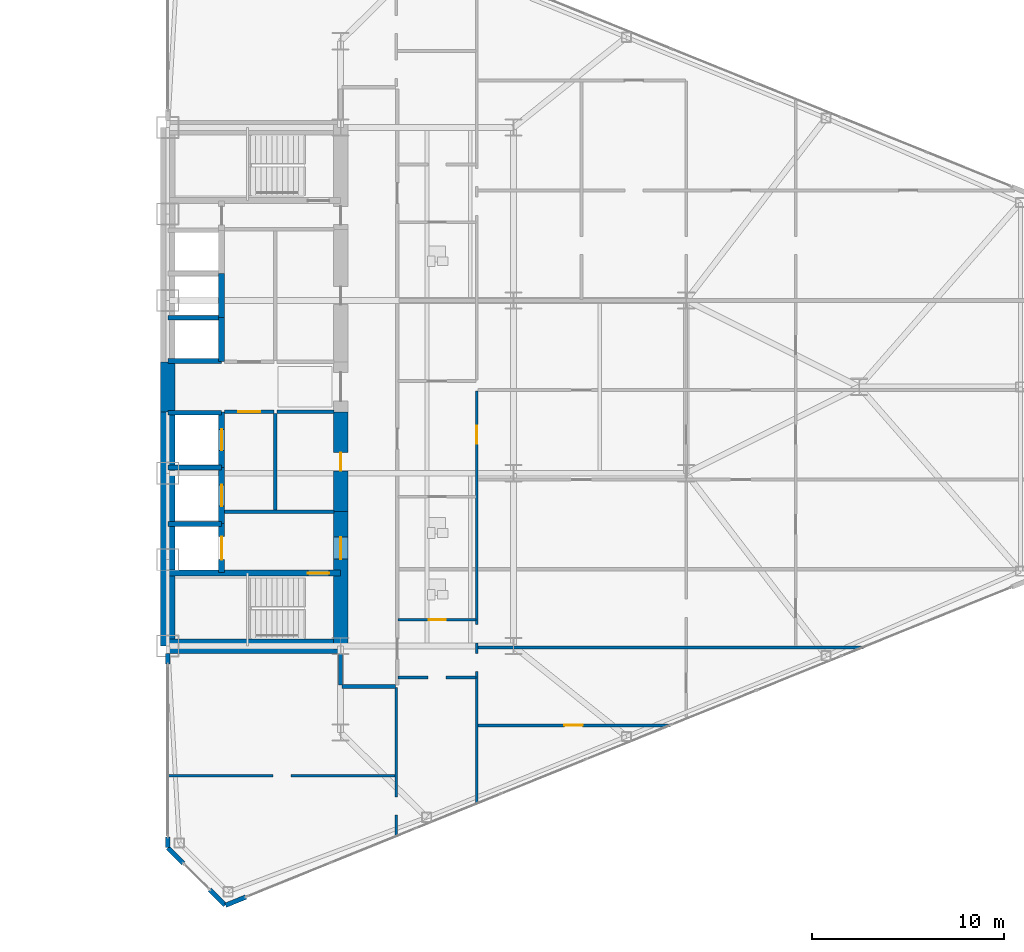
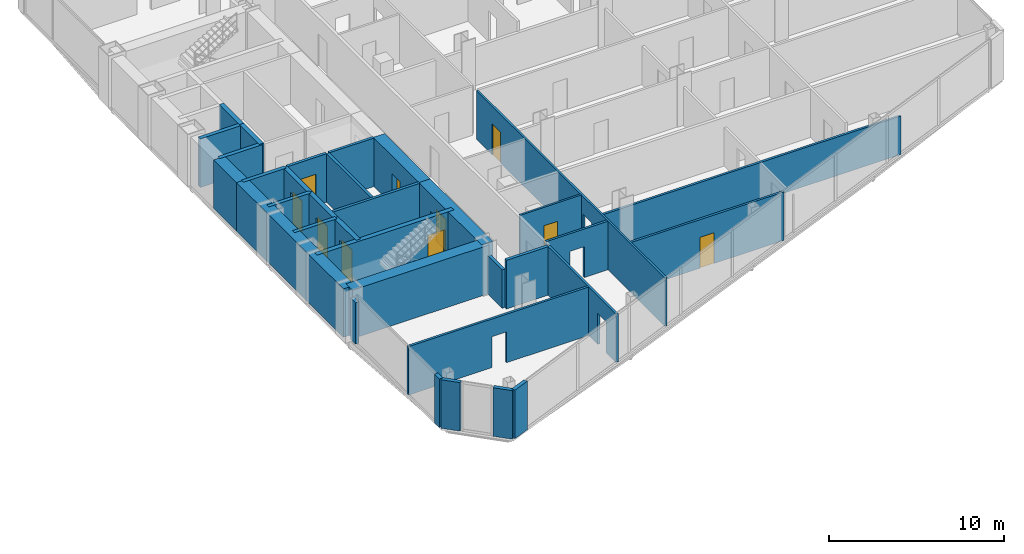
# One storey, part 20 of 25: 34 walls, 10 doors, 15 openings.
"""IFC4 building model written with IfcOpenShell, lengths in metres."""

from ifc_helpers import new_model, si_unit, direction, frame, frame_2d, origin, place, context, subcontext, project, spatial, rectangle, extrude, source, transform, mapped, material, layer, layer_set, type_object, type_shapes, element, fill, save


model = new_model("IFC4")

# Units and contexts
model_context = context("Model", 3, precision=1e-05, world=origin(), true_north=direction((0.0, 1.0)))
body_context = subcontext(model_context, "Body", "Model", "MODEL_VIEW")
ifc_project = project(units=[si_unit("LENGTHUNIT", "METRE"), si_unit("AREAUNIT", "SQUARE_METRE"), si_unit("VOLUMEUNIT", "CUBIC_METRE"), si_unit("PLANEANGLEUNIT", "RADIAN"), si_unit("MASSUNIT", "GRAM", prefix="KILO")], contexts=[model_context])

# Site, building, storey
site_placement = place(None, origin())
site = spatial("IfcSite", under=ifc_project, at=site_placement, CompositionType="ELEMENT")
building_placement = place(site_placement, origin())
building = spatial("IfcBuilding", under=site, at=building_placement, Name="Seokmaru Belvedere", CompositionType="ELEMENT")
storey_placement = place(building_placement, frame((0.0, 0.0, 22.5)))
storey = spatial("IfcBuildingStorey", under=building, at=storey_placement, Name="L05", CompositionType="ELEMENT", Elevation=22.5)

# Wall, opening
ifc_material_1 = material(Name="Fire-Rated Gypsum Shaftwall")
ifc_layer_1 = layer(ifc_material_1, 0.14990234375)
ifc_layer_set_1 = layer_set([ifc_layer_1], Name="Fire-Rated Gypsum Shaftwall")
wall_type_1 = type_object("IfcWallType", Name="Apartment Fire-Acoustic Room Partition 150", PredefinedType="PARTITIONING", material=ifc_layer_set_1)
wall_1_placement = place(storey_placement, frame((27.465087890625, -20.25, 0.0), z_axis=(0.0, 0.0, 1.0), x_axis=(1.0, 0.0, 0.0)))
wall_1 = element("IfcWall", 1, at=wall_1_placement, inside=storey, type_object=wall_type_1, Name="L05 Interior Partition 002", PredefinedType="PARTITIONING", context=body_context, shape_type="SweptSolid", body=[
    extrude(rectangle(XDim=11.885009765625, YDim=0.14990234375, at=frame_2d((5.9423828125, 0.0))), origin(), (0.0, 0.0, 1.0), 3.3798828125),
])
opening_1_placement = place(wall_1_placement, frame((5.510009765625, 0.0, 0.0)))
element("IfcOpeningElement", 2, at=opening_1_placement, cuts=wall_1, Name="L05 Cased Opening 052", PredefinedType="OPENING", context=body_context, shape_type="SweptSolid", body=[
    extrude(rectangle(XDim=0.949951171875, YDim=2.14990234375, at=frame_2d((0.47509765625, 1.074951171875))), frame((0.0, 0.0849609375, 0.0), z_axis=(0.0, -1.0, 0.0), x_axis=(1.0, 0.0, 0.0)), (0.0, 0.0, 1.0), 0.169921875),
])

# Wall, opening, door
wall_2_placement = place(storey_placement, frame((43.64990234375, -17.6298828125, 0.0), z_axis=(0.0, 0.0, 1.0), x_axis=(1.0, 0.0, 0.0)))
wall_2 = element("IfcWall", 3, at=wall_2_placement, inside=storey, type_object=wall_type_1, Name="L05 Interior Partition 004", PredefinedType="PARTITIONING", context=body_context, shape_type="SweptSolid", body=[
    extrude(rectangle(XDim=10.030029296875, YDim=0.14990234375, at=frame_2d((5.01513671875, 0.0))), origin(), (0.0, 0.0, 1.0), 3.3798828125),
])
opening_2_placement = place(wall_2_placement, frame((4.49755859375, 0.0, 0.0)))
opening_2 = element("IfcOpeningElement", 4, at=opening_2_placement, cuts=wall_2, Name="Opening D05", PredefinedType="OPENING", context=body_context, shape_type="SweptSolid", body=[
    extrude(rectangle(XDim=0.949951171875, YDim=2.14990234375, at=frame_2d((0.47509765625, 1.074951171875))), frame((0.0, 0.0849609375, 0.0), z_axis=(0.0, -1.0, 0.0), x_axis=(1.0, 0.0, 0.0)), (0.0, 0.0, 1.0), 0.169921875),
])
ifc_material_2 = material(Name="Engineered White Oak Timber", Category="wood")
door_type_1 = type_object("IfcDoorType", Name="Apartment Interior Fire-Rated Oak Door 950x2150", OperationType="NOTDEFINED", PredefinedType="DOOR", material=ifc_material_2)
shared_shape_1 = source(origin(), body_context, "Body", "SweptSolid", [
    extrude(rectangle(XDim=0.949951171875, YDim=2.14990234375, at=frame_2d((0.47509765625, 1.074951171875))), frame((0.0, 0.02490234375, 0.0), z_axis=(0.0, -1.0, 0.0), x_axis=(1.0, 0.0, 0.0)), (0.0, 0.0, 1.0), 0.050048828125),
])
type_shapes(door_type_1, [shared_shape_1])
door_1_placement = place(opening_2_placement, origin())
door_1 = element("IfcDoor", 5, at=door_1_placement, inside=storey, type_object=door_type_1, Name="L05 Interior Door 048", OperationType="SINGLE_SWING_RIGHT", OverallHeight=2.14990234375, OverallWidth=0.949951171875, PredefinedType="DOOR", context=body_context, shape_type="MappedRepresentation", body=[
    mapped(shared_shape_1, transform((0.0, 0.0, 0.0), scale=1.0)),
])
fill(opening_2, door_1)

# Wall, opening
wall_3_placement = place(storey_placement, frame((39.5, -15.139892578125, 0.0), z_axis=(0.0, 0.0, 1.0), x_axis=(1.0, 0.0, 0.0)))
wall_3 = element("IfcWall", 6, at=wall_3_placement, inside=storey, type_object=wall_type_1, Name="L05 Interior Partition 007", PredefinedType="PARTITIONING", context=body_context, shape_type="SweptSolid", body=[
    extrude(rectangle(XDim=4.050048828125, YDim=0.14990234375, at=frame_2d((2.02490234375, 0.0))), origin(), (0.0, 0.0, 1.0), 3.3798828125),
])
opening_3_placement = place(wall_3_placement, frame((1.550048828125, 0.0, 0.0)))
element("IfcOpeningElement", 7, at=opening_3_placement, cuts=wall_3, Name="L05 Cased Opening 044", PredefinedType="OPENING", context=body_context, shape_type="SweptSolid", body=[
    extrude(rectangle(XDim=0.949951171875, YDim=2.14990234375, at=frame_2d((0.47509765625, 1.074951171875))), frame((0.0, 0.0849609375, 0.0), z_axis=(0.0, -1.0, 0.0), x_axis=(1.0, 0.0, 0.0)), (0.0, 0.0, 1.0), 0.169921875),
])

# Wall
wall_4_placement = place(storey_placement, frame((43.64990234375, -13.570068359375, 0.0), z_axis=(0.0, 0.0, 1.0), x_axis=(1.0, 0.0, 0.0)))
element("IfcWall", 8, at=wall_4_placement, inside=storey, type_object=wall_type_1, Name="L05 Interior Partition 008", PredefinedType="PARTITIONING", context=body_context, shape_type="SweptSolid", body=[
    extrude(rectangle(XDim=20.0751953125, YDim=0.14990234375, at=frame_2d((10.03759765625, 0.0))), origin(), (0.0, 0.0, 1.0), 2.679931640625),
])

# Wall, opening
wall_5_placement = place(storey_placement, frame((39.39990234375, -23.43310546875, 0.0), z_axis=(0.0, 0.0, 1.0), x_axis=(0.0, 1.0, 0.0)))
wall_5 = element("IfcWall", 9, at=wall_5_placement, inside=storey, type_object=wall_type_1, Name="L05 Interior Partition 052", PredefinedType="PARTITIONING", context=body_context, shape_type="SweptSolid", body=[
    extrude(rectangle(XDim=7.783203125, YDim=0.14990234375, at=frame_2d((3.8916015625, 0.0))), origin(), (0.0, 0.0, 1.0), 3.3798828125),
])
opening_4_placement = place(wall_5_placement, frame((1.13427734375, 0.0, 0.0)))
element("IfcOpeningElement", 10, at=opening_4_placement, cuts=wall_5, Name="L05 Cased Opening 051", PredefinedType="OPENING", context=body_context, shape_type="SweptSolid", body=[
    extrude(rectangle(XDim=0.949951171875, YDim=2.14990234375, at=frame_2d((0.47509765625, 1.074951171875))), frame((0.0, 0.0849609375, 0.0), z_axis=(0.0, -1.0, 0.0), x_axis=(1.0, 0.0, 0.0)), (0.0, 0.0, 1.0), 0.169921875),
])

# Walls
ifc_layer_2 = layer(ifc_material_1, 0.179931640625)
ifc_layer_set_2 = layer_set([ifc_layer_2], Name="Fire-Rated Gypsum Shaftwall")
wall_type_2 = type_object("IfcWallType", Name="Core Service Fire Partition 180", PredefinedType="PARTITIONING", material=ifc_layer_set_2)
wall_6_placement = place(storey_placement, frame((30.449951171875, -6.5, 0.0), z_axis=(0.0, 0.0, 1.0), x_axis=(1.0, 0.0, 0.0)))
element("IfcWall", 11, at=wall_6_placement, inside=storey, type_object=wall_type_2, Name="L05 East Firefighting Lobby Partition", PredefinedType="PARTITIONING", context=body_context, shape_type="SweptSolid", body=[
    extrude(rectangle(XDim=5.699951171875, YDim=0.179931640625, at=frame_2d((2.85009765625, 0.0))), origin(), (0.0, 0.0, 1.0), 3.3798828125),
])
wall_7_placement = place(storey_placement, frame((33.10009765625, -6.419921875, 0.0), z_axis=(0.0, 0.0, 1.0), x_axis=(0.0, 1.0, 0.0)))
element("IfcWall", 12, at=wall_7_placement, inside=storey, type_object=wall_type_2, Name="L05 East South Core Service Back Wall", PredefinedType="PARTITIONING", context=body_context, shape_type="SweptSolid", body=[
    extrude(rectangle(XDim=5.0400390625, YDim=0.179931640625, at=frame_2d((2.52001953125, 0.0))), origin(), (0.0, 0.0, 1.0), 3.3798828125),
])

# Wall, opening, door
wall_8_placement = place(storey_placement, frame((30.449951171875, -1.300048828125, 0.0), z_axis=(0.0, 0.0, 1.0), x_axis=(1.0, 0.0, 0.0)))
wall_8 = element("IfcWall", 13, at=wall_8_placement, inside=storey, type_object=wall_type_2, Name="L05 East South Lift Lobby Foyer Wall", PredefinedType="PARTITIONING", context=body_context, shape_type="SweptSolid", body=[
    extrude(rectangle(XDim=2.570068359375, YDim=0.179931640625, at=frame_2d((1.28515625, 0.0))), origin(), (0.0, 0.0, 1.0), 3.3798828125),
])
opening_5_placement = place(wall_8_placement, frame((0.7099609375, 0.0, 0.0)))
opening_5 = element("IfcOpeningElement", 14, at=opening_5_placement, cuts=wall_8, Name="Opening D02", PredefinedType="OPENING", context=body_context, shape_type="SweptSolid", body=[
    extrude(rectangle(XDim=1.14990234375, YDim=2.199951171875, at=frame_2d((0.574951171875, 1.10009765625))), frame((0.0, 0.10009765625, 0.0), z_axis=(0.0, -1.0, 0.0), x_axis=(1.0, 0.0, 0.0)), (0.0, 0.0, 1.0), 0.199951171875),
])
ifc_material_3 = material(Name="Fire-Rated Steel Leaf", Category="steel")
door_type_2 = type_object("IfcDoorType", Name="Lobby and Vestibule Fire Door 1150x2200", OperationType="NOTDEFINED", PredefinedType="DOOR", material=ifc_material_3)
shared_shape_2 = source(origin(), body_context, "Body", "SweptSolid", [
    extrude(rectangle(XDim=1.14990234375, YDim=2.199951171875, at=frame_2d((0.574951171875, 1.10009765625))), frame((0.0, 0.02490234375, 0.0), z_axis=(0.0, -1.0, 0.0), x_axis=(1.0, 0.0, 0.0)), (0.0, 0.0, 1.0), 0.050048828125),
])
type_shapes(door_type_2, [shared_shape_2])
door_2_placement = place(opening_5_placement, origin())
door_2 = element("IfcDoor", 15, at=door_2_placement, inside=storey, type_object=door_type_2, Name="L05 East South Core Foyer Door", OperationType="SINGLE_SWING_RIGHT", OverallHeight=2.199951171875, OverallWidth=1.14990234375, PredefinedType="DOOR", context=body_context, shape_type="MappedRepresentation", body=[
    mapped(shared_shape_2, transform((0.0, 0.0, 0.0), scale=1.0)),
])
fill(opening_5, door_2)

# Walls
wall_9_placement = place(storey_placement, frame((33.199951171875, -1.300048828125, 0.0), z_axis=(0.0, 0.0, 1.0), x_axis=(1.0, 0.0, 0.0)))
element("IfcWall", 16, at=wall_9_placement, inside=storey, type_object=wall_type_2, Name="L05 East Foyer Side Wall S", PredefinedType="PARTITIONING", context=body_context, shape_type="SweptSolid", body=[
    extrude(rectangle(XDim=2.949951171875, YDim=0.179931640625, at=frame_2d((1.47509765625, 0.0))), origin(), (0.0, 0.0, 1.0), 3.3798828125),
])
ifc_material_4 = material(Name="Concrete C50 (50 MPa)", Category="concrete")
ifc_layer_3 = layer(ifc_material_4, 0.25)
ifc_layer_set_3 = layer_set([ifc_layer_3], Name="Concrete C50 (50 MPa)")
wall_type_3 = type_object("IfcWallType", Name="Hoistway Transverse Concrete Divider Wall 250", PredefinedType="SHEAR", material=ifc_layer_set_3)
for number, where, z_axis, x_axis, name in (
    (17, (27.5, -7.14990234375, 0.0), (0.0, 0.0, 1.0), (1.0, 0.0, 0.0), "L05 East Hoistway Divider Core Wall 1"),
    (18, (27.5, -4.199951171875, 0.0), (0.0, 0.0, 1.0), (1.0, 0.0, 0.0), "L05 East Hoistway Divider Core Wall 2"),
    (19, (27.5, -1.35009765625, 0.0), (0.0, 0.0, 1.0), (1.0, 0.0, 0.0), "L05 East Hoistway Divider Core Wall 3"),
    (20, (27.5, 1.35009765625, 0.0), (0.0, 0.0, 1.0), (1.0, 0.0, 0.0), "L05 East Hoistway Divider Core Wall 4"),
    (21, (27.5, 3.60009765625, 0.0), (0.0, 0.0, 1.0), (1.0, 0.0, 0.0), "L05 East Hoistway Divider Core Wall 5"),
):
    element("IfcWall", number, at=place(storey_placement, frame(where, z_axis=z_axis, x_axis=x_axis)), inside=storey, type_object=wall_type_3, Name=name, PredefinedType="SHEAR", context=body_context, shape_type="SweptSolid", body=[
        extrude(rectangle(XDim=2.800048828125, YDim=0.25, at=frame_2d((1.39990234375, 0.0))), origin(), (0.0, 0.0, 1.0), 3.3798828125),
    ])
ifc_layer_4 = layer(ifc_material_1, 0.199951171875)
ifc_layer_set_4 = layer_set([ifc_layer_4], Name="Fire-Rated Gypsum Shaftwall")
wall_type_4 = type_object("IfcWallType", Name="Inter-Tenancy Fire Compartment Partition 200", PredefinedType="PARTITIONING", material=ifc_layer_set_4)
wall_10_placement = place(storey_placement, frame((36.5849609375, -15.60009765625, 0.0), z_axis=(0.0, 0.0, 1.0), x_axis=(1.0, 0.0, 0.0)))
element("IfcWall", 22, at=wall_10_placement, inside=storey, type_object=wall_type_4, Name="L05 Interior Partition 006", PredefinedType="PARTITIONING", context=body_context, shape_type="SweptSolid", body=[
    extrude(rectangle(XDim=2.780029296875, YDim=0.199951171875, at=frame_2d((1.39013671875, 0.0))), origin(), (0.0, 0.0, 1.0), 3.3798828125),
])
wall_11_placement = place(storey_placement, frame((36.5, -15.514892578125, 0.0), z_axis=(0.0, 0.0, 1.0), x_axis=(0.0, 1.0, 0.0)))
element("IfcWall", 23, at=wall_11_placement, inside=storey, type_object=wall_type_4, Name="L05 Interior Partition 050", PredefinedType="PARTITIONING", context=body_context, shape_type="SweptSolid", body=[
    extrude(rectangle(XDim=1.635009765625, YDim=0.199951171875, at=frame_2d((0.8173828125, 0.0))), origin(), (0.0, 0.0, 1.0), 2.679931640625),
])

# Wall, opening, door
ifc_layer_5 = layer(ifc_material_4, 0.300048828125)
ifc_layer_set_5 = layer_set([ifc_layer_5], Name="Concrete C50 (50 MPa)")
wall_type_5 = type_object("IfcWallType", Name="Internal Core Stair and Hoistway Wall 300", PredefinedType="SHEAR", material=ifc_layer_set_5)
wall_12_placement = place(storey_placement, frame((27.5, -9.699951171875, 0.0), z_axis=(0.0, 0.0, 1.0), x_axis=(1.0, 0.0, 0.0)))
wall_12 = element("IfcWall", 24, at=wall_12_placement, inside=storey, type_object=wall_type_5, Name="L05 East Stair ST-1 Enclosure Wall", PredefinedType="SHEAR", context=body_context, shape_type="SweptSolid", body=[
    extrude(rectangle(XDim=9.0, YDim=0.300048828125, at=frame_2d((4.5, 0.0))), origin(), (0.0, 0.0, 1.0), 3.3798828125),
])
opening_6_placement = place(wall_12_placement, frame((7.300048828125, 0.0, 0.0)))
opening_6 = element("IfcOpeningElement", 25, at=opening_6_placement, cuts=wall_12, Name="Opening D01", PredefinedType="OPENING", context=body_context, shape_type="SweptSolid", body=[
    extrude(rectangle(XDim=1.10009765625, YDim=2.199951171875, at=frame_2d((0.550048828125, 1.10009765625))), frame((0.0, 0.16015625, 0.0), z_axis=(0.0, -1.0, 0.0), x_axis=(1.0, 0.0, 0.0)), (0.0, 0.0, 1.0), 0.320068359375),
])
door_type_3 = type_object("IfcDoorType", Name="Special Escape Stair Smokeproof Fire Door 1100x2200", OperationType="NOTDEFINED", PredefinedType="DOOR", material=ifc_material_3)
shared_shape_3 = source(origin(), body_context, "Body", "SweptSolid", [
    extrude(rectangle(XDim=1.10009765625, YDim=2.199951171875, at=frame_2d((0.550048828125, 1.10009765625))), frame((0.0, 0.02490234375, 0.0), z_axis=(0.0, -1.0, 0.0), x_axis=(1.0, 0.0, 0.0)), (0.0, 0.0, 1.0), 0.050048828125),
])
type_shapes(door_type_3, [shared_shape_3])
door_3_placement = place(opening_6_placement, frame((1.10009765625, 0.0, 0.0), z_axis=(0.0, 0.0, 1.0), x_axis=(-1.0, 0.0, 0.0)))
door_3 = element("IfcDoor", 26, at=door_3_placement, inside=storey, type_object=door_type_3, Name="L05 East Special Escape Stair ST-1 Door", OperationType="SINGLE_SWING_RIGHT", OverallHeight=2.199951171875, OverallWidth=1.10009765625, PredefinedType="DOOR", context=body_context, shape_type="MappedRepresentation", body=[
    mapped(shared_shape_3, transform((0.0, 0.0, 0.0), scale=1.0)),
])
fill(opening_6, door_3)

wall_13_placement = place(storey_placement, frame((30.300048828125, -9.679931640625, 0.0), z_axis=(0.0, 0.0, 1.0), x_axis=(0.0, 1.0, 0.0)))
wall_13 = element("IfcWall", 27, at=wall_13_placement, inside=storey, type_object=wall_type_5, Name="L05 East Firefighting Lift Shaft Front Wall", PredefinedType="SHEAR", context=body_context, shape_type="SweptSolid", body=[
    extrude(rectangle(XDim=2.559814453125, YDim=0.300048828125, at=frame_2d((1.27978515625, 0.0))), origin(), (0.0, 0.0, 1.0), 3.3798828125),
])
opening_7_placement = place(wall_13_placement, frame((0.679931640625, 0.0, 0.0)))
opening_7 = element("IfcOpeningElement", 28, at=opening_7_placement, cuts=wall_13, Name="Opening LD2", PredefinedType="OPENING", context=body_context, shape_type="SweptSolid", body=[
    extrude(rectangle(XDim=1.199951171875, YDim=2.25, at=frame_2d((0.60009765625, 1.125))), frame((0.0, 0.16015625, 0.0), z_axis=(0.0, -1.0, 0.0), x_axis=(1.0, 0.0, 0.0)), (0.0, 0.0, 1.0), 0.320068359375),
])
ifc_material_5 = material(Name="Stainless Steel 316", Category="steel")
door_type_4 = type_object("IfcDoorType", Name="Firefighting Lift Sliding Landing Door 1200x2250", OperationType="DOUBLE_DOOR_SLIDING", PredefinedType="DOOR", material=ifc_material_5)
shared_shape_4 = source(origin(), body_context, "Body", "SweptSolid", [
    extrude(rectangle(XDim=1.199951171875, YDim=2.25, at=frame_2d((0.60009765625, 1.125))), frame((0.0, 0.02490234375, 0.0), z_axis=(0.0, -1.0, 0.0), x_axis=(1.0, 0.0, 0.0)), (0.0, 0.0, 1.0), 0.050048828125),
])
type_shapes(door_type_4, [shared_shape_4])
door_4_placement = place(opening_7_placement, origin())
door_4 = element("IfcDoor", 29, at=door_4_placement, inside=storey, type_object=door_type_4, Name="L05 East Firefighting Lift Landing Door", OperationType="DOUBLE_DOOR_SLIDING", OverallHeight=2.25, OverallWidth=1.199951171875, PredefinedType="DOOR", context=body_context, shape_type="MappedRepresentation", body=[
    mapped(shared_shape_4, transform((0.0, 0.0, 0.0), scale=1.0)),
])
fill(opening_7, door_4)

wall_14_placement = place(storey_placement, frame((30.300048828125, -7.1201171875, 0.0), z_axis=(0.0, 0.0, 1.0), x_axis=(0.0, 1.0, 0.0)))
wall_14 = element("IfcWall", 30, at=wall_14_placement, inside=storey, type_object=wall_type_5, Name="L05 East Low-Rise Lift PL-1 Front Wall", PredefinedType="SHEAR", context=body_context, shape_type="SweptSolid", body=[
    extrude(rectangle(XDim=2.920166015625, YDim=0.300048828125, at=frame_2d((1.4599609375, 0.0))), origin(), (0.0, 0.0, 1.0), 3.3798828125),
])
opening_8_placement = place(wall_14_placement, frame((0.909912109375, 0.0, 0.0)))
opening_8 = element("IfcOpeningElement", 31, at=opening_8_placement, cuts=wall_14, Name="Opening LD1", PredefinedType="OPENING", context=body_context, shape_type="SweptSolid", body=[
    extrude(rectangle(XDim=1.10009765625, YDim=2.199951171875, at=frame_2d((0.550048828125, 1.10009765625))), frame((0.0, 0.16015625, 0.0), z_axis=(0.0, -1.0, 0.0), x_axis=(1.0, 0.0, 0.0)), (0.0, 0.0, 1.0), 0.320068359375),
])
door_type_5 = type_object("IfcDoorType", Name="Passenger Lift Sliding Landing Door 1100x2200", OperationType="DOUBLE_DOOR_SLIDING", PredefinedType="DOOR", material=ifc_material_5)
shared_shape_5 = source(origin(), body_context, "Body", "SweptSolid", [
    extrude(rectangle(XDim=1.10009765625, YDim=2.199951171875, at=frame_2d((0.550048828125, 1.10009765625))), frame((0.0, 0.02490234375, 0.0), z_axis=(0.0, -1.0, 0.0), x_axis=(1.0, 0.0, 0.0)), (0.0, 0.0, 1.0), 0.050048828125),
])
type_shapes(door_type_5, [shared_shape_5])
door_5_placement = place(opening_8_placement, origin())
door_5 = element("IfcDoor", 32, at=door_5_placement, inside=storey, type_object=door_type_5, Name="L05 East Low-Rise Lift PL-1 Landing Door", OperationType="DOUBLE_DOOR_SLIDING", OverallHeight=2.199951171875, OverallWidth=1.10009765625, PredefinedType="DOOR", context=body_context, shape_type="MappedRepresentation", body=[
    mapped(shared_shape_5, transform((0.0, 0.0, 0.0), scale=1.0)),
])
fill(opening_8, door_5)

wall_15_placement = place(storey_placement, frame((30.300048828125, -4.199951171875, 0.0), z_axis=(0.0, 0.0, 1.0), x_axis=(0.0, 1.0, 0.0)))
wall_15 = element("IfcWall", 33, at=wall_15_placement, inside=storey, type_object=wall_type_5, Name="L05 East Low-Rise Lift PL-2 Front Wall", PredefinedType="SHEAR", context=body_context, shape_type="SweptSolid", body=[
    extrude(rectangle(XDim=2.8798828125, YDim=0.300048828125, at=frame_2d((1.43994140625, 0.0))), origin(), (0.0, 0.0, 1.0), 3.3798828125),
])
opening_9_placement = place(wall_15_placement, frame((0.889892578125, 0.0, 0.0)))
opening_9 = element("IfcOpeningElement", 34, at=opening_9_placement, cuts=wall_15, Name="Opening LD1", PredefinedType="OPENING", context=body_context, shape_type="SweptSolid", body=[
    extrude(rectangle(XDim=1.10009765625, YDim=2.199951171875, at=frame_2d((0.550048828125, 1.10009765625))), frame((0.0, 0.16015625, 0.0), z_axis=(0.0, -1.0, 0.0), x_axis=(1.0, 0.0, 0.0)), (0.0, 0.0, 1.0), 0.320068359375),
])
door_6_placement = place(opening_9_placement, origin())
door_6 = element("IfcDoor", 35, at=door_6_placement, inside=storey, type_object=door_type_5, Name="L05 East Low-Rise Lift PL-2 Landing Door", OperationType="DOUBLE_DOOR_SLIDING", OverallHeight=2.199951171875, OverallWidth=1.10009765625, PredefinedType="DOOR", context=body_context, shape_type="MappedRepresentation", body=[
    mapped(shared_shape_5, transform((0.0, 0.0, 0.0), scale=1.0)),
])
fill(opening_9, door_6)

# Walls
wall_16_placement = place(storey_placement, frame((30.300048828125, 1.320068359375, 0.0), z_axis=(0.0, 0.0, 1.0), x_axis=(0.0, 1.0, 0.0)))
element("IfcWall", 36, at=wall_16_placement, inside=storey, type_object=wall_type_5, Name="L05 East North Hoistway Wall PH1", PredefinedType="SHEAR", context=body_context, shape_type="SweptSolid", body=[
    extrude(rectangle(XDim=2.280029296875, YDim=0.300048828125, at=frame_2d((1.14013671875, 0.0))), origin(), (0.0, 0.0, 1.0), 3.3798828125),
])
wall_17_placement = place(storey_placement, frame((30.300048828125, 3.60009765625, 0.0), z_axis=(0.0, 0.0, 1.0), x_axis=(0.0, 1.0, 0.0)))
element("IfcWall", 37, at=wall_17_placement, inside=storey, type_object=wall_type_5, Name="L05 East North Hoistway Wall PH2", PredefinedType="SHEAR", context=body_context, shape_type="SweptSolid", body=[
    extrude(rectangle(XDim=2.2998046875, YDim=0.300048828125, at=frame_2d((1.14990234375, 0.0))), origin(), (0.0, 0.0, 1.0), 3.3798828125),
])
ifc_material_6 = material(Name="Concrete C60 (60 MPa)", Category="concrete")
ifc_layer_6 = layer(ifc_material_6, 0.75)
ifc_layer_set_6 = layer_set([ifc_layer_6], Name="Concrete C60 (60 MPa)")
wall_type_6 = type_object("IfcWallType", Name="Lower Tower Reinforced Concrete Core Wall 750", PredefinedType="SHEAR", material=ifc_layer_set_6)
wall_18_placement = place(storey_placement, frame((27.5, -13.5, 0.0), z_axis=(0.0, 0.0, 1.0), x_axis=(0.0, 1.0, 0.0)))
element("IfcWall", 38, at=wall_18_placement, inside=storey, type_object=wall_type_6, Name="L05 East Portal Spine Core Wall South", PredefinedType="SHEAR", context=body_context, shape_type="SweptSolid", body=[
    extrude(rectangle(XDim=12.199951171875, YDim=0.75, at=frame_2d((6.10009765625, 0.0))), origin(), (0.0, 0.0, 1.0), 3.3798828125),
])
wall_19_placement = place(storey_placement, frame((27.5, -1.300048828125, 0.0), z_axis=(0.0, 0.0, 1.0), x_axis=(0.0, 1.0, 0.0)))
element("IfcWall", 39, at=wall_19_placement, inside=storey, type_object=wall_type_6, Name="L05 East Portal Spine Core Wall Center", PredefinedType="SHEAR", context=body_context, shape_type="SweptSolid", body=[
    extrude(rectangle(XDim=2.60009765625, YDim=0.75, at=frame_2d((1.300048828125, 0.0))), origin(), (0.0, 0.0, 1.0), 3.3798828125),
])
wall_20_placement = place(storey_placement, frame((27.5, -13.5, 0.0), z_axis=(0.0, 0.0, 1.0), x_axis=(1.0, 0.0, 0.0)))
element("IfcWall", 40, at=wall_20_placement, inside=storey, type_object=wall_type_6, Name="L05 East South Core Wall", PredefinedType="SHEAR", context=body_context, shape_type="SweptSolid", body=[
    extrude(rectangle(XDim=9.0, YDim=0.75, at=frame_2d((4.5, 0.0))), origin(), (0.0, 0.0, 1.0), 3.3798828125),
])

# Wall, opening, door
wall_21_placement = place(storey_placement, frame((36.5, -13.64990234375, 0.0), z_axis=(0.0, 0.0, 1.0), x_axis=(0.0, 1.0, 0.0)))
wall_21 = element("IfcWall", 41, at=wall_21_placement, inside=storey, type_object=wall_type_6, Name="L05 East West Core Wall FF", PredefinedType="SHEAR", context=body_context, shape_type="SweptSolid", body=[
    extrude(rectangle(XDim=7.14990234375, YDim=0.75, at=frame_2d((3.574951171875, 0.0))), origin(), (0.0, 0.0, 1.0), 3.3798828125),
])
opening_10_placement = place(wall_21_placement, frame((4.675048828125, 0.0, 0.0)))
opening_10 = element("IfcOpeningElement", 42, at=opening_10_placement, cuts=wall_21, Name="Opening D02", PredefinedType="OPENING", context=body_context, shape_type="SweptSolid", body=[
    extrude(rectangle(XDim=1.14990234375, YDim=2.199951171875, at=frame_2d((0.574951171875, 1.10009765625))), frame((0.0, 0.385009765625, 0.0), z_axis=(0.0, -1.0, 0.0), x_axis=(1.0, 0.0, 0.0)), (0.0, 0.0, 1.0), 0.77001953125),
])
door_7_placement = place(opening_10_placement, origin())
door_7 = element("IfcDoor", 43, at=door_7_placement, inside=storey, type_object=door_type_2, Name="L05 East Firefighting Lobby Door", OperationType="SINGLE_SWING_RIGHT", OverallHeight=2.199951171875, OverallWidth=1.14990234375, PredefinedType="DOOR", context=body_context, shape_type="MappedRepresentation", body=[
    mapped(shared_shape_2, transform((0.0, 0.0, 0.0), scale=1.0)),
])
fill(opening_10, door_7)

wall_22_placement = place(storey_placement, frame((36.5, -6.5, 0.0), z_axis=(0.0, 0.0, 1.0), x_axis=(0.0, 1.0, 0.0)))
wall_22 = element("IfcWall", 44, at=wall_22_placement, inside=storey, type_object=wall_type_6, Name="L05 East West Core Wall CS1", PredefinedType="SHEAR", context=body_context, shape_type="SweptSolid", body=[
    extrude(rectangle(XDim=5.199951171875, YDim=0.75, at=frame_2d((2.60009765625, 0.0))), origin(), (0.0, 0.0, 1.0), 3.3798828125),
])
opening_11_placement = place(wall_22_placement, frame((2.125, 0.0, 0.0)))
opening_11 = element("IfcOpeningElement", 45, at=opening_11_placement, cuts=wall_22, Name="Opening D04", PredefinedType="OPENING", context=body_context, shape_type="SweptSolid", body=[
    extrude(rectangle(XDim=0.949951171875, YDim=2.14990234375, at=frame_2d((0.47509765625, 1.074951171875))), frame((0.0, 0.385009765625, 0.0), z_axis=(0.0, -1.0, 0.0), x_axis=(1.0, 0.0, 0.0)), (0.0, 0.0, 1.0), 0.77001953125),
])
door_type_6 = type_object("IfcDoorType", Name="Core Service Room Fire Door 950x2150", OperationType="NOTDEFINED", PredefinedType="DOOR", material=ifc_material_3)
shared_shape_6 = source(origin(), body_context, "Body", "SweptSolid", [
    extrude(rectangle(XDim=0.949951171875, YDim=2.14990234375, at=frame_2d((0.47509765625, 1.074951171875))), frame((0.0, 0.02490234375, 0.0), z_axis=(0.0, -1.0, 0.0), x_axis=(1.0, 0.0, 0.0)), (0.0, 0.0, 1.0), 0.050048828125),
])
type_shapes(door_type_6, [shared_shape_6])
door_8_placement = place(opening_11_placement, origin())
door_8 = element("IfcDoor", 46, at=door_8_placement, inside=storey, type_object=door_type_6, Name="L05 East Core Service Room Door 1", OperationType="SINGLE_SWING_RIGHT", OverallHeight=2.14990234375, OverallWidth=0.949951171875, PredefinedType="DOOR", context=body_context, shape_type="MappedRepresentation", body=[
    mapped(shared_shape_6, transform((0.0, 0.0, 0.0), scale=1.0)),
])
fill(opening_11, door_8)

ifc_layer_7 = layer(ifc_material_1, 0.1298828125)
ifc_layer_set_7 = layer_set([ifc_layer_7], Name="Fire-Rated Gypsum Shaftwall")
wall_type_7 = type_object("IfcWallType", Name="Moisture-Resistant Fire-Rated Bathroom Partition 130", PredefinedType="PARTITIONING", material=ifc_layer_set_7)
wall_23_placement = place(storey_placement, frame((39.5, -12.139892578125, 0.0), z_axis=(0.0, 0.0, 1.0), x_axis=(1.0, 0.0, 0.0)))
wall_23 = element("IfcWall", 47, at=wall_23_placement, inside=storey, type_object=wall_type_7, Name="L05 Interior Partition 011", PredefinedType="PARTITIONING", context=body_context, shape_type="SweptSolid", body=[
    extrude(rectangle(XDim=4.050048828125, YDim=0.1298828125, at=frame_2d((2.02490234375, 0.0))), origin(), (0.0, 0.0, 1.0), 3.3798828125),
])
opening_12_placement = place(wall_23_placement, frame((1.5849609375, 0.0, 0.0)))
opening_12 = element("IfcOpeningElement", 48, at=opening_12_placement, cuts=wall_23, Name="Opening D06", PredefinedType="OPENING", context=body_context, shape_type="SweptSolid", body=[
    extrude(rectangle(XDim=0.8798828125, YDim=2.10009765625, at=frame_2d((0.43994140625, 1.050048828125))), frame((0.0, 0.074951171875, 0.0), z_axis=(0.0, -1.0, 0.0), x_axis=(1.0, 0.0, 0.0)), (0.0, 0.0, 1.0), 0.14990234375),
])
door_type_7 = type_object("IfcDoorType", Name="Bathroom and Restroom Fire-Rated Door 880x2100", OperationType="NOTDEFINED", PredefinedType="DOOR", material=ifc_material_2)
shared_shape_7 = source(origin(), body_context, "Body", "SweptSolid", [
    extrude(rectangle(XDim=0.8798828125, YDim=2.10009765625, at=frame_2d((0.43994140625, 1.050048828125))), frame((0.0, 0.02490234375, 0.0), z_axis=(0.0, -1.0, 0.0), x_axis=(1.0, 0.0, 0.0)), (0.0, 0.0, 1.0), 0.050048828125),
])
type_shapes(door_type_7, [shared_shape_7])
door_9_placement = place(opening_12_placement, origin())
door_9 = element("IfcDoor", 49, at=door_9_placement, inside=storey, type_object=door_type_7, Name="L05 Interior Door 043", OperationType="SINGLE_SWING_RIGHT", OverallHeight=2.10009765625, OverallWidth=0.8798828125, PredefinedType="DOOR", context=body_context, shape_type="MappedRepresentation", body=[
    mapped(shared_shape_7, transform((0.0, 0.0, 0.0), scale=1.0)),
])
fill(opening_12, door_9)

# Wall, openings, door
wall_24_placement = place(storey_placement, frame((43.60009765625, -21.73291015625, 0.0), z_axis=(0.0, 0.0, 1.0), x_axis=(0.0, 1.0, 0.0)))
wall_24 = element("IfcWall", 50, at=wall_24_placement, inside=storey, type_object=wall_type_7, Name="L05 Interior Partition 055", PredefinedType="PARTITIONING", context=body_context, shape_type="SweptSolid", body=[
    extrude(rectangle(XDim=21.515869140625, YDim=0.1298828125, at=frame_2d((10.7578125, 0.0))), origin(), (0.0, 0.0, 1.0), 3.3798828125),
])
opening_13_placement = place(wall_24_placement, frame((6.902587890625, 0.0, 0.0)))
element("IfcOpeningElement", 51, at=opening_13_placement, cuts=wall_24, Name="L05 Cased Opening 045", PredefinedType="OPENING", context=body_context, shape_type="SweptSolid", body=[
    extrude(rectangle(XDim=0.949951171875, YDim=2.14990234375, at=frame_2d((0.47509765625, 1.074951171875))), frame((0.0, 0.074951171875, 0.0), z_axis=(0.0, -1.0, 0.0), x_axis=(1.0, 0.0, 0.0)), (0.0, 0.0, 1.0), 0.14990234375),
])
opening_14_placement = place(wall_24_placement, frame((8.402587890625, 0.0, 0.0)))
element("IfcOpeningElement", 52, at=opening_14_placement, cuts=wall_24, Name="L05 Cased Opening 046", PredefinedType="OPENING", context=body_context, shape_type="SweptSolid", body=[
    extrude(rectangle(XDim=0.949951171875, YDim=2.14990234375, at=frame_2d((0.47509765625, 1.074951171875))), frame((0.0, 0.074951171875, 0.0), z_axis=(0.0, -1.0, 0.0), x_axis=(1.0, 0.0, 0.0)), (0.0, 0.0, 1.0), 0.14990234375),
])
opening_15_placement = place(wall_24_placement, frame((18.758056640625, 0.0, 0.0)))
opening_15 = element("IfcOpeningElement", 53, at=opening_15_placement, cuts=wall_24, Name="Opening D05", PredefinedType="OPENING", context=body_context, shape_type="SweptSolid", body=[
    extrude(rectangle(XDim=0.949951171875, YDim=2.14990234375, at=frame_2d((0.47509765625, 1.074951171875))), frame((0.0, 0.074951171875, 0.0), z_axis=(0.0, -1.0, 0.0), x_axis=(1.0, 0.0, 0.0)), (0.0, 0.0, 1.0), 0.14990234375),
])
door_10_placement = place(opening_15_placement, origin())
door_10 = element("IfcDoor", 54, at=door_10_placement, inside=storey, type_object=door_type_1, Name="L05 Interior Door 056", OperationType="SINGLE_SWING_LEFT", OverallHeight=2.14990234375, OverallWidth=0.949951171875, PredefinedType="DOOR", context=body_context, shape_type="MappedRepresentation", body=[
    mapped(shared_shape_1, transform((0.0, 0.0, 0.0), scale=1.0)),
])
fill(opening_15, door_10)

# Walls
ifc_material_7 = material(Name="Anodised Bronze Aluminium", Category="aluminium")
ifc_layer_8 = layer(ifc_material_7, 0.239990234375)
ifc_layer_set_8 = layer_set([ifc_layer_8], Name="Anodised Bronze Aluminium")
wall_type_8 = type_object("IfcWallType", Name="Tower Corner Spandrel Closure Wall 240", PredefinedType="SOLIDWALL", material=ifc_layer_set_8)
wall_25_placement = place(storey_placement, frame((30.50927734375, -26.99609375, 0.0), z_axis=(0.0, 0.0, 1.0), x_axis=(0.927007103665, 0.375043770452, 0.0)))
element("IfcWall", 55, at=wall_25_placement, inside=storey, type_object=wall_type_8, Name="L05 E Corner Closure Pier 1A", PredefinedType="SOLIDWALL", context=body_context, shape_type="SweptSolid", body=[
    extrude(rectangle(XDim=1.139892578125, YDim=0.239990234375, at=frame_2d((0.56982421875, 0.0))), origin(), (0.0, 0.0, 1.0), 3.3798828125),
])
wall_26_placement = place(storey_placement, frame((27.5, -23.97998046875, 0.0), z_axis=(0.0, 0.0, 1.0), x_axis=(0.0, 1.0, 0.0)))
element("IfcWall", 56, at=wall_26_placement, inside=storey, type_object=wall_type_8, Name="L05 E Spine Closure Pier 1A", PredefinedType="SOLIDWALL", context=body_context, shape_type="SweptSolid", body=[
    extrude(rectangle(XDim=0.550048828125, YDim=0.239990234375, at=frame_2d((0.27490234375, 0.0))), origin(), (0.0, 0.0, 1.0), 3.3798828125),
])
wall_27_placement = place(storey_placement, frame((27.5, -14.429931640625, 0.0), z_axis=(0.0, 0.0, 1.0), x_axis=(0.0, 1.0, 0.0)))
element("IfcWall", 57, at=wall_27_placement, inside=storey, type_object=wall_type_8, Name="L05 E Spine Closure Pier 1B", PredefinedType="SOLIDWALL", context=body_context, shape_type="SweptSolid", body=[
    extrude(rectangle(XDim=0.550048828125, YDim=0.239990234375, at=frame_2d((0.27490234375, 0.0))), origin(), (0.0, 0.0, 1.0), 2.8798828125),
])
for number, where, z_axis, x_axis, name in (
    (58, (27.507080078125, -24.007080078125, 0.0), (0.0, 0.0, 1.0), (0.707106781187, -0.707106781187, 0.0), "L05 E Corner Closure Pier 6A"),
    (59, (29.686767578125, -26.186767578125, 0.0), (0.0, 0.0, 1.0), (0.707106781187, -0.707106781187, 0.0), "L05 E Corner Closure Pier 6B"),
):
    element("IfcWall", number, at=place(storey_placement, frame(where, z_axis=z_axis, x_axis=x_axis)), inside=storey, type_object=wall_type_8, Name=name, PredefinedType="SOLIDWALL", context=body_context, shape_type="SweptSolid", body=[
        extrude(rectangle(XDim=1.14013671875, YDim=0.239990234375, at=frame_2d((0.570068359375, 0.0))), origin(), (0.0, 0.0, 1.0), 3.3798828125),
    ])

save(model, "model.ifc")
